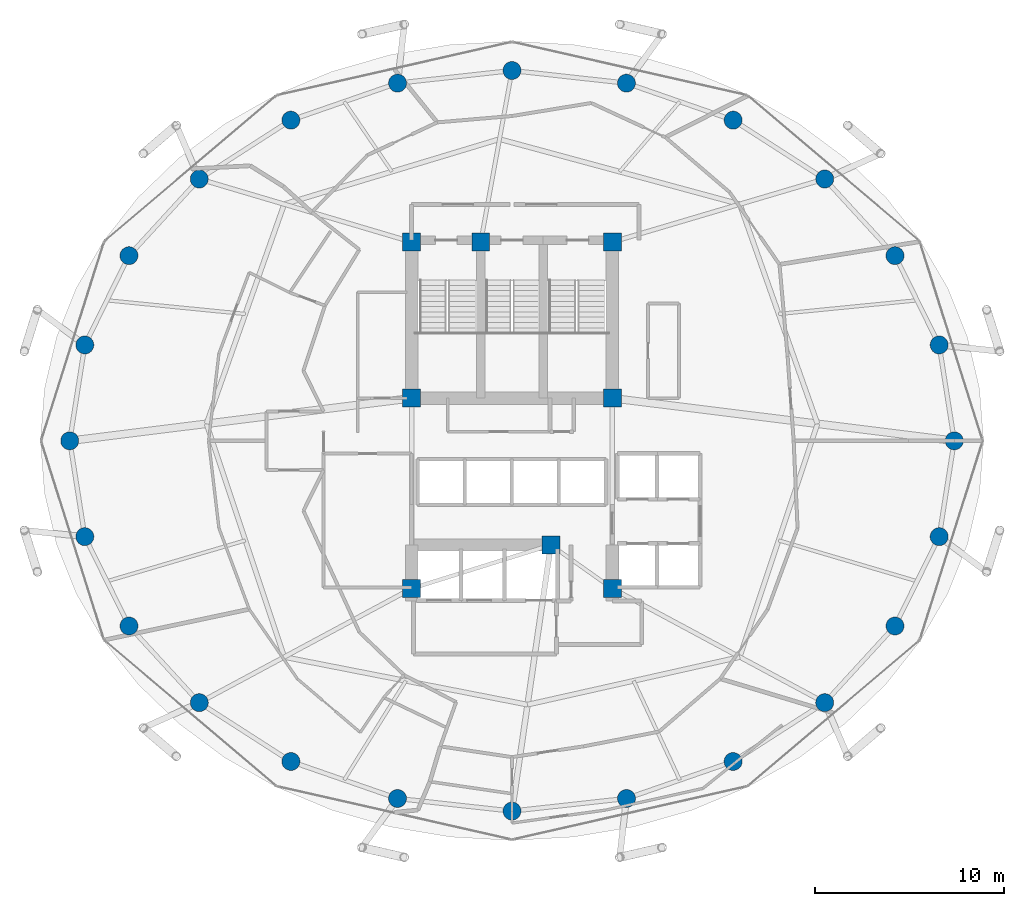
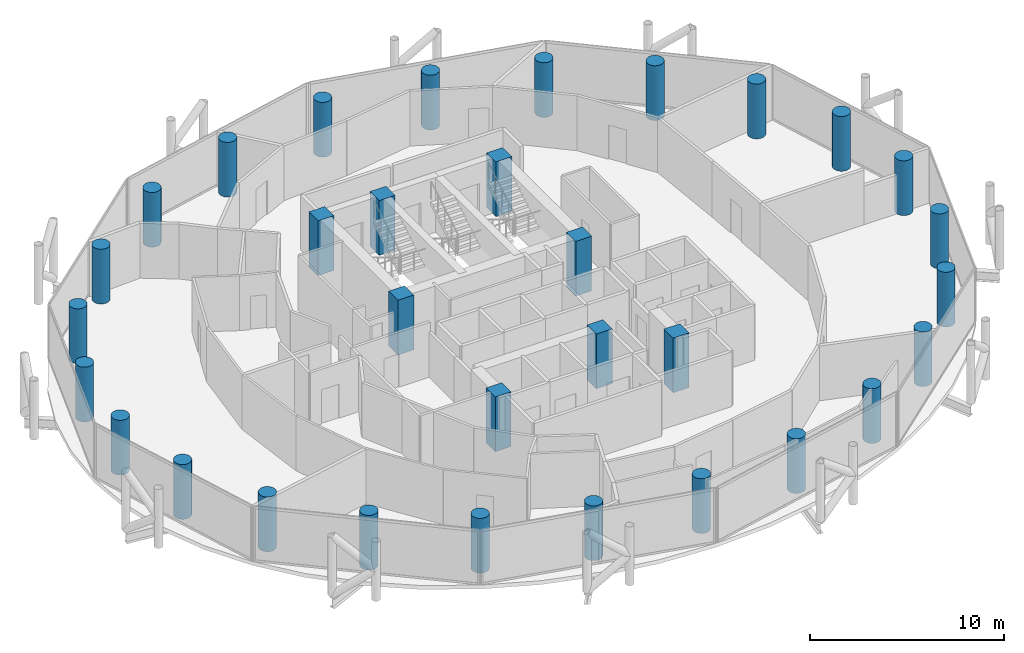
# One storey, part 1 of 26: 32 columns.
"""IFC4 building model written with IfcOpenShell, lengths in metres."""

from ifc_helpers import new_model, si_unit, direction, frame, origin, origin_2d, place, context, subcontext, project, spatial, rectangle, circle, extrude, material, material_profile, profile_set, type_object, element, save


model = new_model("IFC4")

# Units and contexts
model_context = context("Model", 3, precision=1e-05, world=origin(), true_north=direction((0.0, 1.0)))
body_context = subcontext(model_context, "Body", "Model", "MODEL_VIEW")
ifc_project = project(units=[si_unit("LENGTHUNIT", "METRE"), si_unit("AREAUNIT", "SQUARE_METRE"), si_unit("VOLUMEUNIT", "CUBIC_METRE"), si_unit("PLANEANGLEUNIT", "RADIAN"), si_unit("MASSUNIT", "GRAM", prefix="KILO")], contexts=[model_context])

# Site, building, storey
site_placement = place(None, origin())
site = spatial("IfcSite", under=ifc_project, at=site_placement, CompositionType="ELEMENT")
building_placement = place(site_placement, origin())
building = spatial("IfcBuilding", under=site, at=building_placement, Name="Nuhasar Tower", CompositionType="ELEMENT")
storey_placement = place(building_placement, frame((0.0, 0.0, 184.85009765625)))
storey = spatial("IfcBuildingStorey", under=building, at=storey_placement, Name="L45", CompositionType="ELEMENT", Elevation=184.85009765625)

# Columns
ifc_material = material(Name="Concrete C65/80", Category="concrete")
ifc_material_profile_1 = material_profile(ifc_material, circle(Radius=0.47509765625, at=origin_2d()), Name="CFT950")
ifc_profile_set_1 = profile_set([ifc_material_profile_1], Name="Concrete C65/80")
column_type_1 = type_object("IfcColumnType", Name="COL-CFT-950", PredefinedType="COLUMN", material=ifc_profile_set_1)
for number, where, z_axis, x_axis, name in (
    (1, (62.35009765625, 26.800048828125, 0.0), (0.0, 0.0, 1.0), (1.0, 0.0, 0.0), "L45 Perimeter Composite Column TC-01"),
    (2, (61.553955078125, 31.860107421875, 0.0), (0.0, 0.0, 1.0), (1.0, 0.0, 0.0), "L45 Perimeter Composite Column TC-02"),
    (3, (59.221923828125, 36.574951171875, 0.0), (0.0, 0.0, 1.0), (1.0, 0.0, 0.0), "L45 Perimeter Composite Column TC-03"),
    (4, (55.510986328125, 40.6240234375, 0.0), (0.0, 0.0, 1.0), (1.0, 0.0, 0.0), "L45 Perimeter Composite Column TC-04"),
    (5, (50.675048828125, 43.73095703125, 0.0), (0.0, 0.0, 1.0), (1.0, 0.0, 0.0), "L45 Perimeter Composite Column TC-05"),
    (6, (45.04296875, 45.68408203125, 0.0), (0.0, 0.0, 1.0), (1.0, 0.0, 0.0), "L45 Perimeter Composite Column TC-06"),
    (7, (39.0, 46.35009765625, 0.0), (0.0, 0.0, 1.0), (1.0, 0.0, 0.0), "L45 Perimeter Composite Column TC-07"),
    (8, (32.95703125, 45.68408203125, 0.0), (0.0, 0.0, 1.0), (1.0, 0.0, 0.0), "L45 Perimeter Composite Column TC-08"),
    (9, (27.324951171875, 43.73095703125, 0.0), (0.0, 0.0, 1.0), (1.0, 0.0, 0.0), "L45 Perimeter Composite Column TC-09"),
    (10, (22.489013671875, 40.6240234375, 0.0), (0.0, 0.0, 1.0), (1.0, 0.0, 0.0), "L45 Perimeter Composite Column TC-10"),
    (11, (18.778076171875, 36.574951171875, 0.0), (0.0, 0.0, 1.0), (1.0, 0.0, 0.0), "L45 Perimeter Composite Column TC-11"),
    (12, (16.446044921875, 31.860107421875, 0.0), (0.0, 0.0, 1.0), (1.0, 0.0, 0.0), "L45 Perimeter Composite Column TC-12"),
    (13, (15.64990234375, 26.800048828125, 0.0), (0.0, 0.0, 1.0), (1.0, 0.0, 0.0), "L45 Perimeter Composite Column TC-13"),
    (14, (16.446044921875, 21.739990234375, 0.0), (0.0, 0.0, 1.0), (1.0, 0.0, 0.0), "L45 Perimeter Composite Column TC-14"),
    (15, (18.778076171875, 17.02490234375, 0.0), (0.0, 0.0, 1.0), (1.0, 0.0, 0.0), "L45 Perimeter Composite Column TC-15"),
    (16, (22.489013671875, 12.97607421875, 0.0), (0.0, 0.0, 1.0), (1.0, 0.0, 0.0), "L45 Perimeter Composite Column TC-16"),
    (17, (27.324951171875, 9.868896484375, 0.0), (0.0, 0.0, 1.0), (1.0, 0.0, 0.0), "L45 Perimeter Composite Column TC-17"),
    (18, (32.95703125, 7.916015625, 0.0), (0.0, 0.0, 1.0), (1.0, 0.0, 0.0), "L45 Perimeter Composite Column TC-18"),
    (19, (39.0, 7.25, 0.0), (0.0, 0.0, 1.0), (1.0, 0.0, 0.0), "L45 Perimeter Composite Column TC-19"),
    (20, (45.04296875, 7.916015625, 0.0), (0.0, 0.0, 1.0), (1.0, 0.0, 0.0), "L45 Perimeter Composite Column TC-20"),
    (21, (50.675048828125, 9.868896484375, 0.0), (0.0, 0.0, 1.0), (1.0, 0.0, 0.0), "L45 Perimeter Composite Column TC-21"),
    (22, (55.510986328125, 12.97607421875, 0.0), (0.0, 0.0, 1.0), (1.0, 0.0, 0.0), "L45 Perimeter Composite Column TC-22"),
    (23, (59.221923828125, 17.02490234375, 0.0), (0.0, 0.0, 1.0), (1.0, 0.0, 0.0), "L45 Perimeter Composite Column TC-23"),
    (24, (61.553955078125, 21.739990234375, 0.0), (0.0, 0.0, 1.0), (1.0, 0.0, 0.0), "L45 Perimeter Composite Column TC-24"),
):
    element("IfcColumn", number, at=place(storey_placement, frame(where, z_axis=z_axis, x_axis=x_axis)), inside=storey, type_object=column_type_1, Name=name, PredefinedType="COLUMN", context=body_context, shape_type="SweptSolid", body=[
        extrude(circle(Radius=0.47509765625, at=origin_2d()), origin(), (0.0, 0.0, 1.0), 3.449951171875),
    ])
ifc_material_profile_2 = material_profile(ifc_material, rectangle(XDim=0.949951171875, YDim=0.949951171875, at=origin_2d()), Name="RC950X950")
ifc_profile_set_2 = profile_set([ifc_material_profile_2], Name="Concrete C65/80")
column_type_2 = type_object("IfcColumnType", Name="PIL-RC-950", PredefinedType="PILASTER", material=ifc_profile_set_2)
for number, where, z_axis, x_axis, name in (
    (25, (33.699951171875, 19.0, 0.0), (0.0, 0.0, 1.0), (1.0, 0.0, 0.0), "L45 Core Boundary Pilaster CC-01"),
    (26, (41.050048828125, 21.300048828125, 0.0), (0.0, 0.0, 1.0), (1.0, 0.0, 0.0), "L45 Core Boundary Pilaster CC-02"),
    (27, (44.300048828125, 19.0, 0.0), (0.0, 0.0, 1.0), (1.0, 0.0, 0.0), "L45 Core Boundary Pilaster CC-03"),
    (28, (44.300048828125, 29.050048828125, 0.0), (0.0, 0.0, 1.0), (1.0, 0.0, 0.0), "L45 Core Boundary Pilaster CC-04"),
    (29, (44.300048828125, 37.300048828125, 0.0), (0.0, 0.0, 1.0), (1.0, 0.0, 0.0), "L45 Core Boundary Pilaster CC-05"),
    (30, (37.35009765625, 37.300048828125, 0.0), (0.0, 0.0, 1.0), (1.0, 0.0, 0.0), "L45 Core Boundary Pilaster CC-06"),
    (31, (33.699951171875, 37.300048828125, 0.0), (0.0, 0.0, 1.0), (1.0, 0.0, 0.0), "L45 Core Boundary Pilaster CC-07"),
    (32, (33.699951171875, 29.050048828125, 0.0), (0.0, 0.0, 1.0), (1.0, 0.0, 0.0), "L45 Core Boundary Pilaster CC-08"),
):
    element("IfcColumn", number, at=place(storey_placement, frame(where, z_axis=z_axis, x_axis=x_axis)), inside=storey, type_object=column_type_2, Name=name, PredefinedType="PILASTER", context=body_context, shape_type="SweptSolid", body=[
        extrude(rectangle(XDim=0.949951171875, YDim=0.949951171875, at=origin_2d()), origin(), (0.0, 0.0, 1.0), 3.449951171875),
    ])

save(model, "model.ifc")
